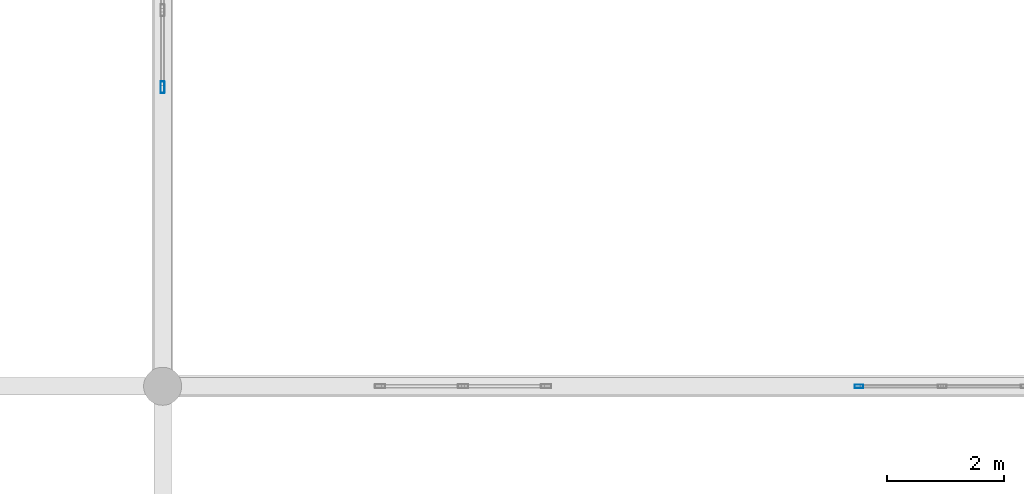
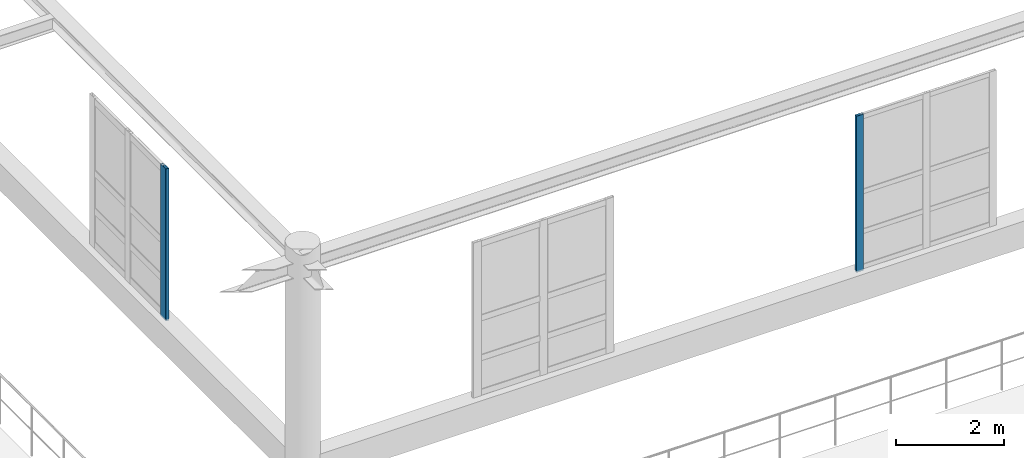
# One storey, part 54 of 197: 2 members, 2 elements without a shape of their own.
"""IFC4 building model written with IfcOpenShell, lengths in metres."""

import ifcopenshell
import ifcopenshell.guid

model = None  # the IFC model being written
_history = None  # IfcOwnerHistory: only IFC2X3 demands one
_inside = {}  # id of a spatial element -> (the spatial element, [elements in it])
_under = {}  # id of a project, library or spatial element -> (it, [spatial elements below it])
_declared = {}  # id of a project -> (the project, [libraries it declares])
_typed = {}  # id of a type object -> (the type object, [elements of that type])
_made_of = {}  # id of a material, layer set ... -> (it, [elements and type objects made of it])


def new_model(schema):
    """Start an empty IFC model of exactly this schema.

    Asked for "IFC4X3", IfcOpenShell would pick the latest addendum, in which some entities
    have other attributes; the version numbers below select the first issue.
    IFC2X3 requires an IfcOwnerHistory on every rooted entity: one is made here for all.
    """
    global model, _history
    if schema == "IFC4X3":
        model = ifcopenshell.file(schema_version=(4, 3, 0, 0))
    else:
        model = ifcopenshell.file(schema=schema)
    _inside.clear()
    _under.clear()
    _declared.clear()
    _typed.clear()
    _made_of.clear()
    _history = None
    if model.schema == "IFC2X3":
        org = make("IfcOrganization", Name="unknown")
        user = make(
            "IfcPersonAndOrganization",
            ThePerson=make("IfcPerson", FamilyName="unknown"),
            TheOrganization=org,
        )
        app = make(
            "IfcApplication",
            ApplicationDeveloper=org,
            Version="unknown",
            ApplicationFullName="unknown",
            ApplicationIdentifier="unknown",
        )
        _history = make(
            "IfcOwnerHistory",
            OwningUser=user,
            OwningApplication=app,
            ChangeAction="ADDED",
            CreationDate=0,
        )
    return model


def make(cls, **values):
    """One entity of the class cls with the attributes given. An attribute that is None is left unset."""
    return model.create_entity(
        cls, **{name: value for name, value in values.items() if value is not None}
    )


def rooted(cls, **values):
    """An entity with a GlobalId (a new one), such as an element, a storey or a relation."""
    return make(cls, GlobalId=ifcopenshell.guid.new(), OwnerHistory=_history, **values)


def si_unit(unit_type, name, prefix=None):
    """IfcSIUnit, for example si_unit("LENGTHUNIT", "METRE", prefix="MILLI")."""
    return make("IfcSIUnit", UnitType=unit_type, Prefix=prefix, Name=name)


def derived_unit(unit_type, elements):
    """IfcDerivedUnit: a product of units, each with its exponent."""
    return make(
        "IfcDerivedUnit",
        Elements=[
            make("IfcDerivedUnitElement", Unit=unit, Exponent=power)
            for unit, power in elements
        ],
        UnitType=unit_type,
    )


def assignment(units):
    """IfcUnitAssignment: the units of a project."""
    return None if units is None else make("IfcUnitAssignment", Units=units)


def point(xyz):
    """IfcCartesianPoint."""
    return None if xyz is None else make("IfcCartesianPoint", Coordinates=xyz)


def direction(xyz):
    """IfcDirection."""
    return None if xyz is None else make("IfcDirection", DirectionRatios=xyz)


def frame(location, z_axis=None, x_axis=None):
    """IfcAxis2Placement3D, a coordinate frame: its origin and axes. An axis left out is left unset."""
    return make(
        "IfcAxis2Placement3D",
        Location=point(location),
        Axis=direction(z_axis),
        RefDirection=direction(x_axis),
    )


def frame_2d(location, x_axis=None):
    """IfcAxis2Placement2D, a coordinate frame in the plane: its origin and x axis."""
    return make(
        "IfcAxis2Placement2D", Location=point(location), RefDirection=direction(x_axis)
    )


def origin():
    """The frame at (0, 0, 0) with its axes left unset."""
    return frame((0.0, 0.0, 0.0))


def origin_2d():
    """The frame at (0, 0) in the plane with its x axis left unset."""
    return frame_2d((0.0, 0.0))


def place(relative_to, where):
    """IfcLocalPlacement: puts the frame where relative to a parent placement (None: the world)."""
    return make(
        "IfcLocalPlacement", PlacementRelTo=relative_to, RelativePlacement=where
    )


def context(
    kind, dimensions, precision=None, world=None, true_north=None, identifier=None
):
    """IfcGeometricRepresentationContext, for example the 3D "Model" context."""
    return make(
        "IfcGeometricRepresentationContext",
        ContextIdentifier=identifier,
        ContextType=kind,
        CoordinateSpaceDimension=dimensions,
        Precision=precision,
        WorldCoordinateSystem=world,
        TrueNorth=true_north,
    )


def subcontext(parent, identifier, kind, view, scale=None):
    """IfcGeometricRepresentationSubContext, for example "Body" below "Model"."""
    return make(
        "IfcGeometricRepresentationSubContext",
        ContextIdentifier=identifier,
        ContextType=kind,
        ParentContext=parent,
        TargetScale=scale,
        TargetView=view,
    )


def project(units=None, contexts=None):
    """IfcProject with its units and contexts."""
    return rooted(
        "IfcProject",
        Name="project",
        RepresentationContexts=contexts,
        UnitsInContext=assignment(units),
    )


def spatial(cls, under=None, at=None, **own):
    """A site, building, storey or space (cls), placed at a placement, below another one or the project."""
    s = rooted(cls, ObjectPlacement=at, **own)
    if under is not None:
        _under.setdefault(under.id(), (under, []))[1].append(s)
    return s


def profile(cls, at=None, kind="AREA", **sizes):
    """A parametric profile (cls). Its sizes go by their IFC names, for example OverallWidth=200.0."""
    return make(cls, ProfileType=kind, Position=at, **sizes)


def hollow_rectangle(**sizes):
    """IfcRectangleHollowProfileDef."""
    return profile("IfcRectangleHollowProfileDef", **sizes)


def extrude(swept, where, along, depth):
    """IfcExtrudedAreaSolid: the profile swept, set in the frame where, extruded along a direction by depth."""
    return make(
        "IfcExtrudedAreaSolid",
        SweptArea=swept,
        Position=where,
        ExtrudedDirection=direction(along),
        Depth=depth,
    )


def shape(context_of_items, identifier, shape_type, items):
    """IfcShapeRepresentation: the items that make up one representation, for example the "Body"."""
    return make(
        "IfcShapeRepresentation",
        ContextOfItems=context_of_items,
        RepresentationIdentifier=identifier,
        RepresentationType=shape_type,
        Items=items,
    )


def material(Name=None, Category=None):
    """IfcMaterial."""
    return make("IfcMaterial", Name=Name, Category=Category)


def layer(
    of_material, thickness, ventilated=None, Name=None, Category=None, Priority=None
):
    """IfcMaterialLayer: one layer of a wall or slab, of a material (None: an air gap)."""
    return make(
        "IfcMaterialLayer",
        Material=of_material,
        LayerThickness=thickness,
        IsVentilated=ventilated,
        Name=Name,
        Category=Category,
        Priority=Priority,
    )


def layer_set(layers, Name=None):
    """IfcMaterialLayerSet."""
    return make("IfcMaterialLayerSet", MaterialLayers=layers, LayerSetName=Name)


def material_profile(
    of_material, cross_section, Name=None, Category=None, Priority=None
):
    """IfcMaterialProfile: a cross section and its material."""
    return make(
        "IfcMaterialProfile",
        Name=Name,
        Material=of_material,
        Profile=cross_section,
        Priority=Priority,
        Category=Category,
    )


def profile_set(profiles, Name=None, composite=None):
    """IfcMaterialProfileSet."""
    return make(
        "IfcMaterialProfileSet",
        Name=Name,
        MaterialProfiles=profiles,
        CompositeProfile=composite,
    )


def made_of(thing, what):
    """Note that an element or type object is made of a material, layer set ...; save() writes the relation."""
    if what is not None:
        _made_of.setdefault(what.id(), (what, []))[1].append(thing)
    return thing


def type_object(cls, material=None, **own):
    """A type object (cls), such as IfcWallType, which elements share."""
    return made_of(rooted(cls, **own), material)


def element(
    cls,
    number,
    at=None,
    inside=None,
    cuts=None,
    type_object=None,
    material=None,
    context=None,
    identifier="Body",
    shape_type=None,
    held_by="IfcProductDefinitionShape",
    body=None,
    shapes=None,
    **own,
):
    """One element of the class cls, such as IfcWall. Its Tag is "e" and its number.

    at: its placement. inside: the storey or other place that contains it. cuts: it is an
    opening in that element (IfcRelVoidsElement). A single representation is given by context,
    identifier, shape_type and body (its items); several are given by shapes. held_by: the class
    of the entity that holds the representations. save() writes the other relations.
    """
    e = rooted(cls, Tag="e%d" % number, ObjectPlacement=at, **own)
    if body is not None:
        shapes = [shape(context, identifier, shape_type, body)]
    if shapes is not None:
        e.Representation = make(held_by, Representations=shapes)
    if inside is not None:
        _inside.setdefault(inside.id(), (inside, []))[1].append(e)
    if cuts is not None:
        rooted(
            "IfcRelVoidsElement", RelatingBuildingElement=cuts, RelatedOpeningElement=e
        )
    if type_object is not None:
        _typed.setdefault(type_object.id(), (type_object, []))[1].append(e)
    return made_of(e, material)


def aggregate(whole, parts):
    """IfcRelAggregates: a whole, such as a stair, and the parts it consists of."""
    return rooted("IfcRelAggregates", RelatingObject=whole, RelatedObjects=parts)


def save(model, path):
    """Write the relations noted so far, then the file.

    IfcRelAggregates (storeys below a building ...), IfcRelContainedInSpatialStructure (elements
    in a storey), IfcRelDefinesByType, IfcRelAssociatesMaterial and IfcRelDeclares: one each for
    every whole, place, type object, material and project.
    """
    for whole, parts in _under.values():
        aggregate(whole, parts)
    for where, things in _inside.values():
        rooted(
            "IfcRelContainedInSpatialStructure",
            RelatedElements=things,
            RelatingStructure=where,
        )
    for kind, things in _typed.values():
        rooted("IfcRelDefinesByType", RelatedObjects=things, RelatingType=kind)
    for what, things in _made_of.values():
        rooted("IfcRelAssociatesMaterial", RelatedObjects=things, RelatingMaterial=what)
    for by, libraries in _declared.values():
        rooted("IfcRelDeclares", RelatingContext=by, RelatedDefinitions=libraries)
    model.write(path)


model = new_model("IFC4")

# Units and contexts
model_context = context("Model", 3, precision=1e-05, world=origin(), true_north=direction((0.0, 1.0)))
body_context = subcontext(model_context, "Body", "Model", "MODEL_VIEW")
ifc_project = project(units=[si_unit("LENGTHUNIT", "METRE"), si_unit("AREAUNIT", "SQUARE_METRE"), si_unit("VOLUMEUNIT", "CUBIC_METRE"), si_unit("PLANEANGLEUNIT", "RADIAN"), si_unit("MASSUNIT", "GRAM", prefix="KILO"), derived_unit("THERMALTRANSMITTANCEUNIT", [(si_unit("POWERUNIT", "WATT"), 1), (si_unit("LENGTHUNIT", "METRE"), -2), (si_unit("THERMODYNAMICTEMPERATUREUNIT", "KELVIN"), -1)])], contexts=[model_context])

# Site, building, storey
site_placement = place(None, origin())
site = spatial("IfcSite", under=ifc_project, at=site_placement, CompositionType="ELEMENT")
building_placement = place(site_placement, origin())
building = spatial("IfcBuilding", under=site, at=building_placement, Name="Almenara Railside Exhibition Hall", CompositionType="ELEMENT")
storey_placement = place(building_placement, frame((0.0, 0.0, 5.39990234375)))
storey = spatial("IfcBuildingStorey", under=building, at=storey_placement, Name="L01", CompositionType="ELEMENT", Elevation=5.39990234375)

# Curtain wall, member
ifc_material_1 = material(Name="Bronze-anodised aluminium and low-E double glazing", Category="aluminium")
ifc_layer_1 = layer(ifc_material_1, 0.179931640625, Name="Bronze-anodised aluminium and low-E double glazing")
ifc_layer_set_1 = layer_set([ifc_layer_1], Name="Bronze-anodised aluminium and low-E double glazing")
curtain_wall_type_1 = type_object("IfcCurtainWallType", Name="Courtyard East Galeria Curtain Wall 2900x3500", PredefinedType="NOTDEFINED", material=ifc_layer_set_1)
curtain_wall_1_placement = place(storey_placement, origin())
curtain_wall_1 = element("IfcCurtainWall", 1, at=curtain_wall_1_placement, inside=storey, type_object=curtain_wall_type_1, Name="Curtain wall CW-CY2-145", PredefinedType="NOTDEFINED")
ifc_material_2 = material(Name="Bronze-anodised aluminium", Category="aluminium")
ifc_material_profile_1 = material_profile(ifc_material_2, hollow_rectangle(XDim=0.06005859375, YDim=0.14990234375, WallThickness=0.00341796875, InnerFilletRadius=0.00341796875, OuterFilletRadius=0.007080078125, at=origin_2d()), Name="ALU-MUL 60x150x3.5")
ifc_profile_set_1 = profile_set([ifc_material_profile_1], Name="Bronze-anodised aluminium")
member_type_1 = type_object("IfcMemberType", Name="Curtain Wall Mullion 60x150x3.5", PredefinedType="MULLION", material=ifc_profile_set_1)
member_1_placement = place(storey_placement, frame((95.8935546875, 54.0, 0.565185546875), z_axis=(0.0, 0.0, 1.0), x_axis=(0.0, 1.0, 0.0)))
member_1 = element("IfcMember", 2, at=member_1_placement, type_object=member_type_1, Name="CW-CY2-145 mullion 1", PredefinedType="MULLION", context=body_context, shape_type="SweptSolid", body=[
    extrude(hollow_rectangle(XDim=0.06005859375, YDim=0.14990234375, WallThickness=0.00341796875, InnerFilletRadius=0.00341796875, OuterFilletRadius=0.007080078125, at=origin_2d()), origin(), (0.0, 0.0, 1.0), 3.534912109375),
])
aggregate(curtain_wall_1, [member_1])

ifc_layer_2 = layer(ifc_material_1, 0.179931640625, Name="Bronze-anodised aluminium and low-E double glazing")
ifc_layer_set_2 = layer_set([ifc_layer_2], Name="Bronze-anodised aluminium and low-E double glazing")
curtain_wall_type_2 = type_object("IfcCurtainWallType", Name="Courtyard South Galeria Curtain Wall 2700x3400", PredefinedType="NOTDEFINED", material=ifc_layer_set_2)
curtain_wall_2_placement = place(storey_placement, origin())
curtain_wall_2 = element("IfcCurtainWall", 3, at=curtain_wall_2_placement, inside=storey, type_object=curtain_wall_type_2, Name="Curtain wall CW-CY3-159", PredefinedType="NOTDEFINED")
ifc_material_profile_2 = material_profile(ifc_material_2, hollow_rectangle(XDim=0.070068359375, YDim=0.199951171875, WallThickness=0.00439453125, InnerFilletRadius=0.00439453125, OuterFilletRadius=0.009033203125, at=origin_2d()), Name="ALU-MUL 70x200x4.5")
ifc_profile_set_2 = profile_set([ifc_material_profile_2], Name="Bronze-anodised aluminium")
member_type_2 = type_object("IfcMemberType", Name="Curtain Wall Mullion 70x200x4.5", PredefinedType="MULLION", material=ifc_profile_set_2)
member_2_placement = place(storey_placement, frame((84.0, 59.107666015625, 0.565185546875), z_axis=(0.0, 0.0, 1.0), x_axis=(1.0, 0.0, 0.0)))
member_2 = element("IfcMember", 4, at=member_2_placement, type_object=member_type_2, Name="CW-CY3-159 mullion 3", PredefinedType="MULLION", context=body_context, shape_type="SweptSolid", body=[
    extrude(hollow_rectangle(XDim=0.070068359375, YDim=0.199951171875, WallThickness=0.00439453125, InnerFilletRadius=0.00439453125, OuterFilletRadius=0.009033203125, at=origin_2d()), origin(), (0.0, 0.0, 1.0), 3.434814453125),
])
aggregate(curtain_wall_2, [member_2])

save(model, "model.ifc")
